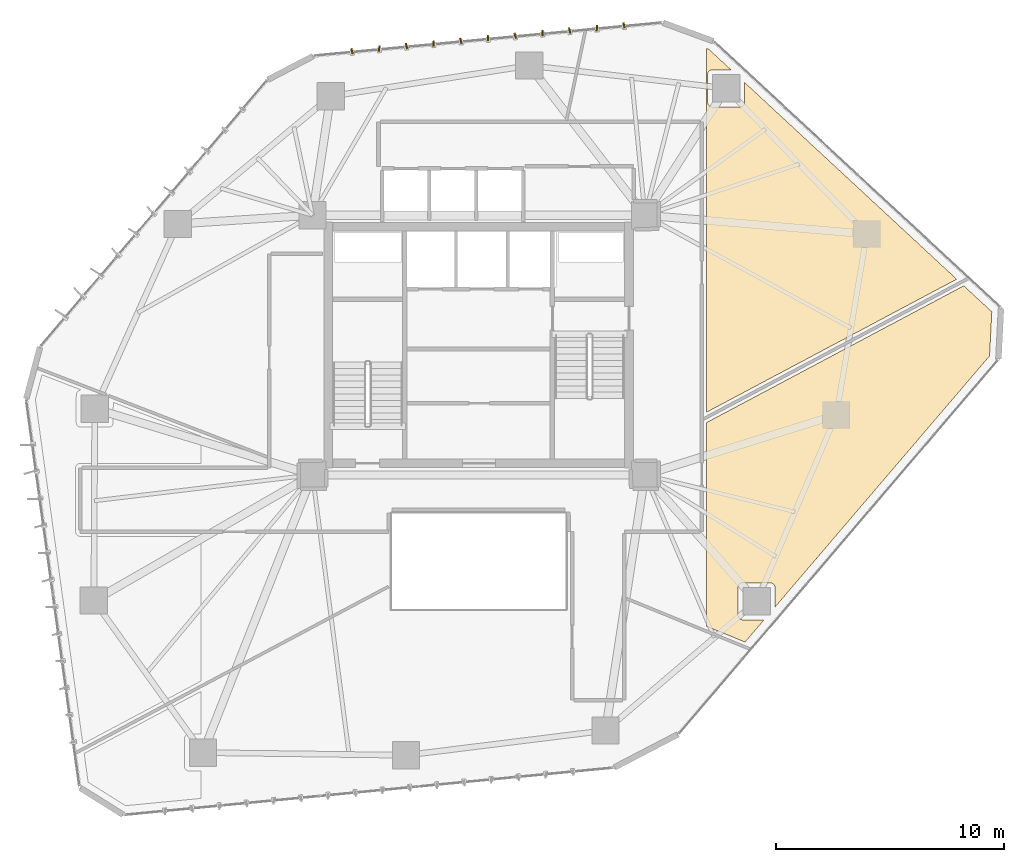
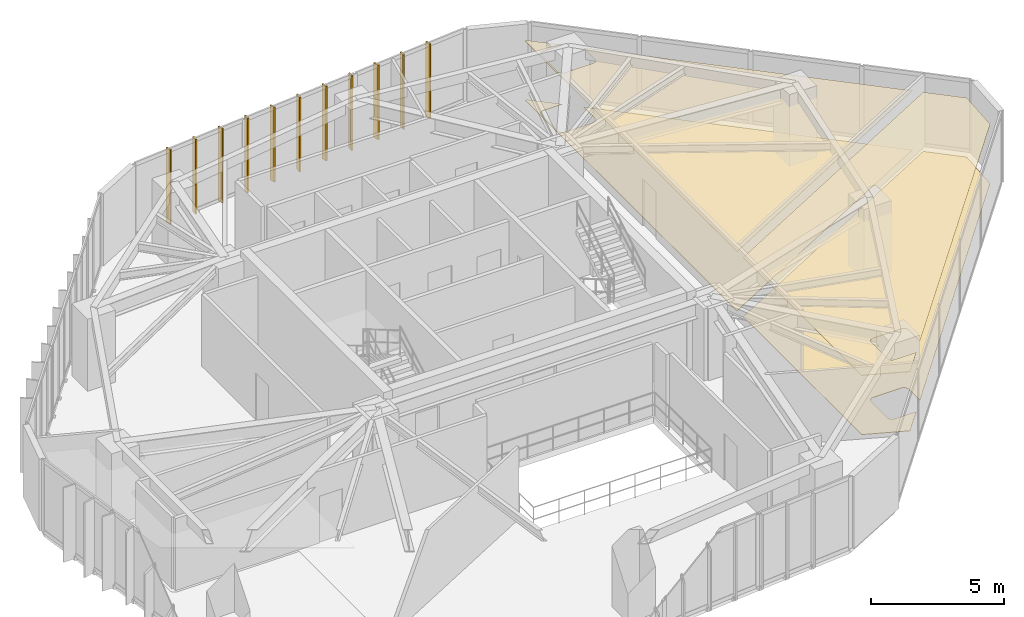
# One storey, part 22 of 22: 11 shading devices, 4 coverings.
"""IFC4 building model written with IfcOpenShell, lengths in metres."""

from ifc_helpers import new_model, si_unit, direction, frame, origin, origin_2d, place, context, subcontext, project, spatial, polyline, rectangle, outline, extrude, source, transform, mapped, material, layer, layer_set, type_object, type_shapes, element, save


model = new_model("IFC4")

# Units and contexts
model_context = context("Model", 3, precision=1e-05, world=origin(), true_north=direction((0.0, 1.0)))
body_context = subcontext(model_context, "Body", "Model", "MODEL_VIEW")
ifc_project = project(units=[si_unit("LENGTHUNIT", "METRE"), si_unit("AREAUNIT", "SQUARE_METRE"), si_unit("VOLUMEUNIT", "CUBIC_METRE"), si_unit("PLANEANGLEUNIT", "RADIAN"), si_unit("MASSUNIT", "GRAM", prefix="KILO")], contexts=[model_context])

# Site, building, storey
site_placement = place(None, origin())
site = spatial("IfcSite", under=ifc_project, at=site_placement, CompositionType="ELEMENT")
building_placement = place(site_placement, origin())
building = spatial("IfcBuilding", under=site, at=building_placement, Name="Talar Marvaseh", CompositionType="ELEMENT")
storey_placement = place(building_placement, frame((0.0, 0.0, 107.39990234375)))
storey = spatial("IfcBuildingStorey", under=building, at=storey_placement, Name="L27", CompositionType="ELEMENT", Elevation=107.39990234375)

# Coverings
ifc_material_1 = material(Name="Mineral Fibre Acoustic Ceiling")
ifc_layer_1 = layer(ifc_material_1, 0.02490234375)
ifc_layer_set_1 = layer_set([ifc_layer_1], Name="Mineral Fibre Acoustic Ceiling")
covering_type_1 = type_object("IfcCoveringType", Name="Perforated Mineral Fibre Acoustic Suspended Ceiling", PredefinedType="CEILING", material=ifc_layer_set_1)
covering_1_placement = place(storey_placement, frame((0.0, 0.0, 2.72021484375)))
element("IfcCovering", 1, at=covering_1_placement, inside=storey, type_object=covering_type_1, Name="L27 Accessible WC Block Acoustic Ceiling", PredefinedType="CEILING", context=body_context, shape_type="SweptSolid", body=[
    extrude(outline(polyline([(36.0, 18.84619140625), (36.0, 23.0), (36.0, 27.79052734375), (47.30419921875, 33.801025390625), (48.53515625, 32.659423828125), (48.43603515625, 30.719970703125), (39.017822265625, 19.6962890625), (39.02099609375, 20.541748046875), (39.02001953125, 20.560302734375), (39.017578125, 20.578857421875), (39.01318359375, 20.596923828125), (39.00732421875, 20.614501953125), (39.0, 20.631591796875), (38.990966796875, 20.64794921875), (38.980224609375, 20.663330078125), (38.968505859375, 20.677490234375), (38.955078125, 20.690673828125), (38.940185546875, 20.7041015625), (38.926025390625, 20.716064453125), (38.91064453125, 20.726318359375), (38.89453125, 20.7353515625), (38.877685546875, 20.74267578125), (38.860107421875, 20.74853515625), (38.842041015625, 20.752685546875), (38.82373046875, 20.755126953125), (38.805419921875, 20.756103515625), (37.5947265625, 20.751708984375), (37.5751953125, 20.75048828125), (37.555908203125, 20.74755859375), (37.536865234375, 20.742919921875), (37.518310546875, 20.736083984375), (37.500732421875, 20.727783203125), (37.48388671875, 20.717529296875), (37.46826171875, 20.705810546875), (37.45361328125, 20.69287109375), (37.440673828125, 20.67822265625), (37.428955078125, 20.66259765625), (37.4189453125, 20.645751953125), (37.41064453125, 20.6279296875), (37.404052734375, 20.609619140625), (37.399169921875, 20.590576171875), (37.396484375, 20.5712890625), (37.3955078125, 20.551513671875), (37.3955078125, 19.330322265625), (37.396484375, 19.310791015625), (37.399169921875, 19.29150390625), (37.404052734375, 19.272216796875), (37.41064453125, 19.25390625), (37.4189453125, 19.236083984375), (37.42919921875, 19.21923828125), (37.44091796875, 19.20361328125), (37.4541015625, 19.18896484375), (37.468505859375, 19.17578125), (37.484375, 19.1640625), (37.501220703125, 19.154052734375), (37.518798828125, 19.1455078125), (37.537353515625, 19.138916015625), (37.556396484375, 19.13427734375), (37.57568359375, 19.13134765625), (37.595458984375, 19.13037109375), (38.534423828125, 19.13037109375), (37.700439453125, 18.154296875), (36.0, 18.84619140625)])), origin(), (0.0, 0.0, 1.0), 0.02490234375),
])
covering_2_placement = place(storey_placement, frame((0.0, 0.0, 2.72021484375)))
element("IfcCovering", 2, at=covering_2_placement, inside=storey, type_object=covering_type_1, Name="L27 Archival Research Office Acoustic Ceiling", PredefinedType="CEILING", context=body_context, shape_type="SweptSolid", body=[
    extrude(outline(polyline([(36.254638671875, 43.281494140625), (36.235107421875, 43.280517578125), (36.2158203125, 43.277587890625), (36.19677734375, 43.272705078125), (36.178466796875, 43.26611328125), (36.16064453125, 43.2578125), (36.143798828125, 43.24755859375), (36.128173828125, 43.23583984375), (36.11376953125, 43.222900390625), (36.1005859375, 43.208251953125), (36.089111328125, 43.1923828125), (36.078857421875, 43.17578125), (36.070556640625, 43.157958984375), (36.06396484375, 43.139404296875), (36.05908203125, 43.12060546875), (36.056396484375, 43.101318359375), (36.055419921875, 43.08154296875), (36.055419921875, 41.8603515625), (36.056396484375, 41.8408203125), (36.05908203125, 41.8212890625), (36.06396484375, 41.80224609375), (36.070556640625, 41.783935546875), (36.0791015625, 41.76611328125), (36.089111328125, 41.749267578125), (36.100830078125, 41.7333984375), (36.114013671875, 41.718994140625), (36.12841796875, 41.705810546875), (36.144287109375, 41.694091796875), (36.1611328125, 41.68408203125), (36.178955078125, 41.675537109375), (36.197265625, 41.6689453125), (36.21630859375, 41.664306640625), (36.23583984375, 41.661376953125), (36.25537109375, 41.660400390625), (37.4765625, 41.660400390625), (37.49609375, 41.661376953125), (37.515380859375, 41.664306640625), (37.534423828125, 41.6689453125), (37.552978515625, 41.675537109375), (37.57080078125, 41.683837890625), (37.58740234375, 41.694091796875), (37.603271484375, 41.70556640625), (37.617919921875, 41.71875), (37.630859375, 41.733154296875), (37.642578125, 41.748779296875), (37.65283203125, 41.765625), (37.6611328125, 41.783447265625), (37.667724609375, 41.8017578125), (37.672607421875, 41.82080078125), (37.675537109375, 41.840087890625), (37.676513671875, 41.859619140625), (37.6796875, 42.72802734375), (46.993896484375, 34.089111328125), (36.0, 28.24365234375), (36.0, 41.0), (36.0, 44.2314453125), (36.09716796875, 44.19580078125), (37.07958984375, 43.28466796875), (36.254638671875, 43.281494140625)])), origin(), (0.0, 0.0, 1.0), 0.02490234375),
])
ifc_material_2 = material(Name="Porcelain Stoneware Tile", Category="masonry")
ifc_layer_2 = layer(ifc_material_2, 0.02001953125)
ifc_layer_set_2 = layer_set([ifc_layer_2], Name="Porcelain Stoneware Tile")
covering_type_2 = type_object("IfcCoveringType", Name="Polished Porcelain Stoneware Gallery Flooring", PredefinedType="FLOORING", material=ifc_layer_set_2)
covering_3_placement = place(storey_placement, origin())
element("IfcCovering", 3, at=covering_3_placement, inside=storey, type_object=covering_type_2, Name="L27 Accessible WC Block Flooring", PredefinedType="FLOORING", context=body_context, shape_type="SweptSolid", body=[
    extrude(outline(polyline([(36.0, 18.84619140625), (36.0, 23.0), (36.0, 27.79052734375), (47.30419921875, 33.801025390625), (48.53515625, 32.659423828125), (48.43603515625, 30.719970703125), (39.017822265625, 19.6962890625), (39.02099609375, 20.541748046875), (39.02001953125, 20.560302734375), (39.017578125, 20.578857421875), (39.01318359375, 20.596923828125), (39.00732421875, 20.614501953125), (39.0, 20.631591796875), (38.990966796875, 20.64794921875), (38.980224609375, 20.663330078125), (38.968505859375, 20.677490234375), (38.955078125, 20.690673828125), (38.940185546875, 20.7041015625), (38.926025390625, 20.716064453125), (38.91064453125, 20.726318359375), (38.89453125, 20.7353515625), (38.877685546875, 20.74267578125), (38.860107421875, 20.74853515625), (38.842041015625, 20.752685546875), (38.82373046875, 20.755126953125), (38.805419921875, 20.756103515625), (37.5947265625, 20.751708984375), (37.5751953125, 20.75048828125), (37.555908203125, 20.74755859375), (37.536865234375, 20.742919921875), (37.518310546875, 20.736083984375), (37.500732421875, 20.727783203125), (37.48388671875, 20.717529296875), (37.46826171875, 20.705810546875), (37.45361328125, 20.69287109375), (37.440673828125, 20.67822265625), (37.428955078125, 20.66259765625), (37.4189453125, 20.645751953125), (37.41064453125, 20.6279296875), (37.404052734375, 20.609619140625), (37.399169921875, 20.590576171875), (37.396484375, 20.5712890625), (37.3955078125, 20.551513671875), (37.3955078125, 19.330322265625), (37.396484375, 19.310791015625), (37.399169921875, 19.29150390625), (37.404052734375, 19.272216796875), (37.41064453125, 19.25390625), (37.4189453125, 19.236083984375), (37.42919921875, 19.21923828125), (37.44091796875, 19.20361328125), (37.4541015625, 19.18896484375), (37.468505859375, 19.17578125), (37.484375, 19.1640625), (37.501220703125, 19.154052734375), (37.518798828125, 19.1455078125), (37.537353515625, 19.138916015625), (37.556396484375, 19.13427734375), (37.57568359375, 19.13134765625), (37.595458984375, 19.13037109375), (38.534423828125, 19.13037109375), (37.700439453125, 18.154296875), (36.0, 18.84619140625)])), origin(), (0.0, 0.0, 1.0), 0.02001953125),
])
covering_4_placement = place(storey_placement, origin())
element("IfcCovering", 4, at=covering_4_placement, inside=storey, type_object=covering_type_2, Name="L27 Archival Research Office Flooring", PredefinedType="FLOORING", context=body_context, shape_type="SweptSolid", body=[
    extrude(outline(polyline([(36.254638671875, 43.281494140625), (36.235107421875, 43.280517578125), (36.2158203125, 43.277587890625), (36.19677734375, 43.272705078125), (36.178466796875, 43.26611328125), (36.16064453125, 43.2578125), (36.143798828125, 43.24755859375), (36.128173828125, 43.23583984375), (36.11376953125, 43.222900390625), (36.1005859375, 43.208251953125), (36.089111328125, 43.1923828125), (36.078857421875, 43.17578125), (36.070556640625, 43.157958984375), (36.06396484375, 43.139404296875), (36.05908203125, 43.12060546875), (36.056396484375, 43.101318359375), (36.055419921875, 43.08154296875), (36.055419921875, 41.8603515625), (36.056396484375, 41.8408203125), (36.05908203125, 41.8212890625), (36.06396484375, 41.80224609375), (36.070556640625, 41.783935546875), (36.0791015625, 41.76611328125), (36.089111328125, 41.749267578125), (36.100830078125, 41.7333984375), (36.114013671875, 41.718994140625), (36.12841796875, 41.705810546875), (36.144287109375, 41.694091796875), (36.1611328125, 41.68408203125), (36.178955078125, 41.675537109375), (36.197265625, 41.6689453125), (36.21630859375, 41.664306640625), (36.23583984375, 41.661376953125), (36.25537109375, 41.660400390625), (37.4765625, 41.660400390625), (37.49609375, 41.661376953125), (37.515380859375, 41.664306640625), (37.534423828125, 41.6689453125), (37.552978515625, 41.675537109375), (37.57080078125, 41.683837890625), (37.58740234375, 41.694091796875), (37.603271484375, 41.70556640625), (37.617919921875, 41.71875), (37.630859375, 41.733154296875), (37.642578125, 41.748779296875), (37.65283203125, 41.765625), (37.6611328125, 41.783447265625), (37.667724609375, 41.8017578125), (37.672607421875, 41.82080078125), (37.675537109375, 41.840087890625), (37.676513671875, 41.859619140625), (37.6796875, 42.72802734375), (46.993896484375, 34.089111328125), (36.0, 28.24365234375), (36.0, 41.0), (36.0, 44.2314453125), (36.09716796875, 44.19580078125), (37.07958984375, 43.28466796875), (36.254638671875, 43.281494140625)])), origin(), (0.0, 0.0, 1.0), 0.02001953125),
])

# Shading devices
ifc_material_3 = material(Name="Anodised Champagne Bronze Aluminium", Category="aluminium")
ifc_layer_3 = layer(ifc_material_3, 0.06494140625)
ifc_layer_set_3 = layer_set([ifc_layer_3], Name="Anodised Champagne Bronze Aluminium")
shading_device_type = type_object("IfcShadingDeviceType", Name="Sawtooth Champagne Bronze Vertical Fin 240", PredefinedType="USERDEFINED", material=ifc_layer_set_3)
shared_shape = source(origin(), body_context, "Body", "SweptSolid", [
    extrude(rectangle(XDim=0.239990234375, YDim=0.06494140625, at=origin_2d()), origin(), (0.0, 0.0, 1.0), 3.429931640625),
])
type_shapes(shading_device_type, [shared_shape])
for number, where, z_axis, x_axis, name in (
    (5, (20.43701171875, 44.10498046875, -0.11962890625), (0.0, 0.0, 1.0), (-0.232257215962, 0.97265440195, 0.0), "L27 Sawtooth Vertical Solar Fin"),
    (6, (21.631591796875, 44.21875, -0.11962890625), (0.0, 0.0, 1.0), (0.044839922168, 0.998994184858, 0.0), "L27 Sawtooth Vertical Solar Fin"),
    (7, (22.826171875, 44.332275390625, -0.11962890625), (0.0, 0.0, 1.0), (-0.232257215962, 0.97265440195, 0.0), "L27 Sawtooth Vertical Solar Fin"),
    (8, (24.020751953125, 44.44580078125, -0.11962890625), (0.0, 0.0, 1.0), (0.044839922168, 0.998994184858, 0.0), "L27 Sawtooth Vertical Solar Fin"),
    (9, (25.21533203125, 44.5595703125, -0.11962890625), (0.0, 0.0, 1.0), (-0.232257215962, 0.97265440195, 0.0), "L27 Sawtooth Vertical Solar Fin"),
    (10, (26.409912109375, 44.673095703125, -0.11962890625), (0.0, 0.0, 1.0), (0.044839922168, 0.998994184858, 0.0), "L27 Sawtooth Vertical Solar Fin"),
    (11, (27.6044921875, 44.78662109375, -0.11962890625), (0.0, 0.0, 1.0), (-0.232257215962, 0.97265440195, 0.0), "L27 Sawtooth Vertical Solar Fin"),
    (12, (28.79931640625, 44.900390625, -0.11962890625), (0.0, 0.0, 1.0), (0.044839922168, 0.998994184858, 0.0), "L27 Sawtooth Vertical Solar Fin"),
    (13, (29.993896484375, 45.013916015625, -0.11962890625), (0.0, 0.0, 1.0), (-0.232257215962, 0.97265440195, 0.0), "L27 Sawtooth Vertical Solar Fin"),
    (14, (31.1884765625, 45.12744140625, -0.11962890625), (0.0, 0.0, 1.0), (0.044839922168, 0.998994184858, 0.0), "L27 Sawtooth Vertical Solar Fin"),
    (15, (32.383056640625, 45.2412109375, -0.11962890625), (0.0, 0.0, 1.0), (-0.232257215962, 0.97265440195, 0.0), "L27 Sawtooth Vertical Solar Fin"),
):
    element("IfcShadingDevice", number, at=place(storey_placement, frame(where, z_axis=z_axis, x_axis=x_axis)), inside=storey, type_object=shading_device_type, Name=name, ObjectType="FIN", PredefinedType="USERDEFINED", context=body_context, shape_type="MappedRepresentation", body=[
        mapped(shared_shape, transform((0.0, 0.0, 0.0), x_axis=(1.0, 0.0, 0.0), y_axis=(0.0, 1.0, 0.0), z_axis=(0.0, 0.0, 1.0), scale=1.0)),
    ])

save(model, "model.ifc")
